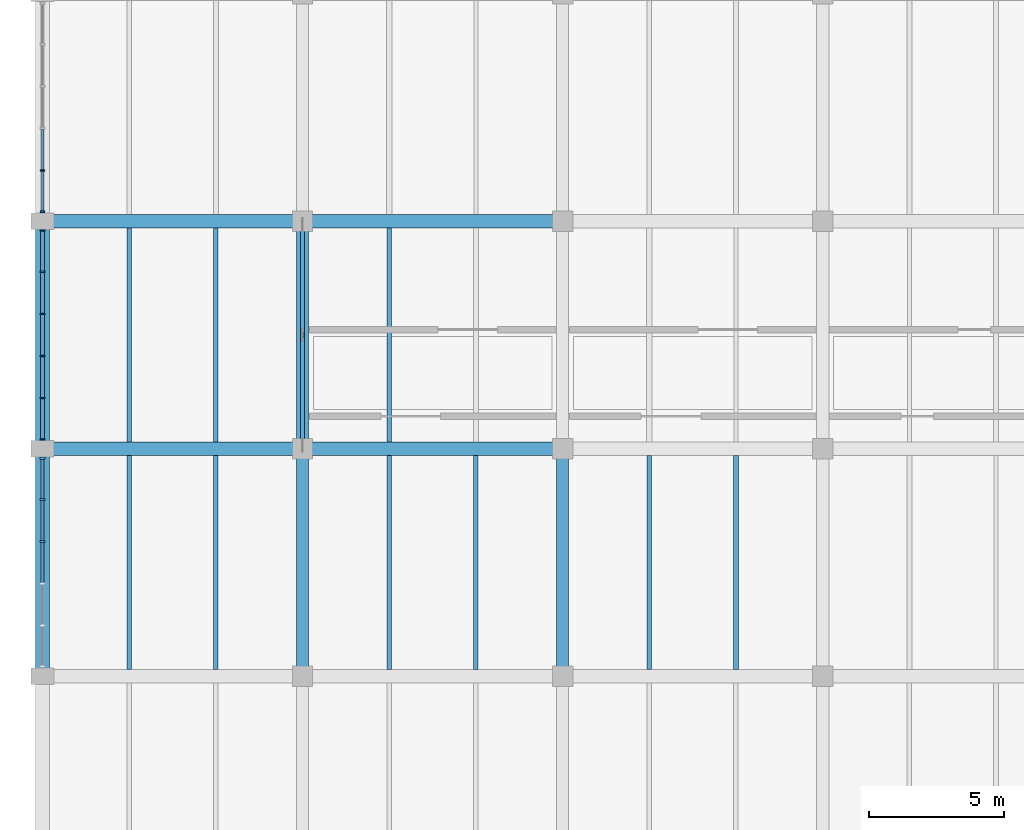
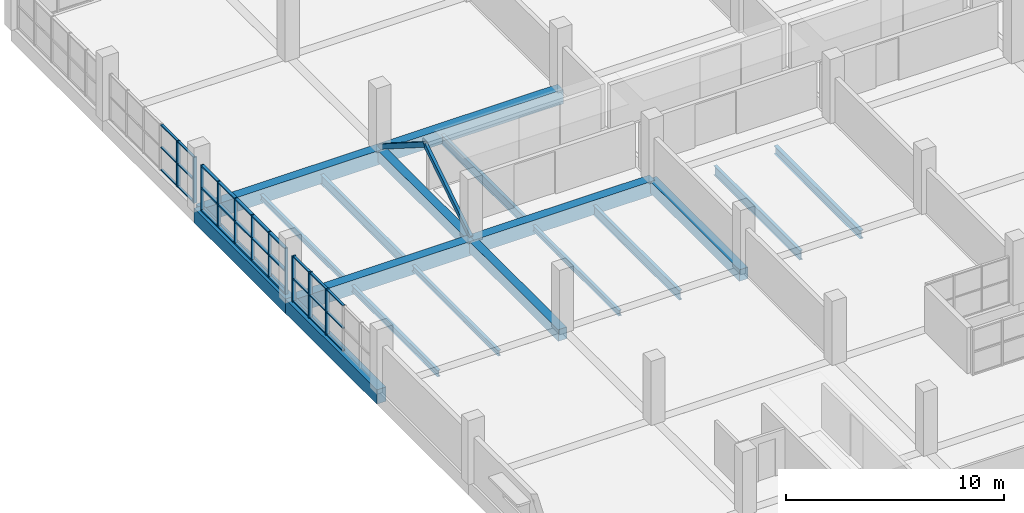
# One storey, part 37 of 147: 43 members, 18 beams, 3 elements without a shape of their own.
"""IFC4 building model written with IfcOpenShell, lengths in metres."""

import ifcopenshell
import ifcopenshell.guid

model = None  # the IFC model being written
_history = None  # IfcOwnerHistory: only IFC2X3 demands one
_inside = {}  # id of a spatial element -> (the spatial element, [elements in it])
_under = {}  # id of a project, library or spatial element -> (it, [spatial elements below it])
_declared = {}  # id of a project -> (the project, [libraries it declares])
_typed = {}  # id of a type object -> (the type object, [elements of that type])
_made_of = {}  # id of a material, layer set ... -> (it, [elements and type objects made of it])


def new_model(schema):
    """Start an empty IFC model of exactly this schema.

    Asked for "IFC4X3", IfcOpenShell would pick the latest addendum, in which some entities
    have other attributes; the version numbers below select the first issue.
    IFC2X3 requires an IfcOwnerHistory on every rooted entity: one is made here for all.
    """
    global model, _history
    if schema == "IFC4X3":
        model = ifcopenshell.file(schema_version=(4, 3, 0, 0))
    else:
        model = ifcopenshell.file(schema=schema)
    _inside.clear()
    _under.clear()
    _declared.clear()
    _typed.clear()
    _made_of.clear()
    _history = None
    if model.schema == "IFC2X3":
        org = make("IfcOrganization", Name="unknown")
        user = make(
            "IfcPersonAndOrganization",
            ThePerson=make("IfcPerson", FamilyName="unknown"),
            TheOrganization=org,
        )
        app = make(
            "IfcApplication",
            ApplicationDeveloper=org,
            Version="unknown",
            ApplicationFullName="unknown",
            ApplicationIdentifier="unknown",
        )
        _history = make(
            "IfcOwnerHistory",
            OwningUser=user,
            OwningApplication=app,
            ChangeAction="ADDED",
            CreationDate=0,
        )
    return model


def make(cls, **values):
    """One entity of the class cls with the attributes given. An attribute that is None is left unset."""
    return model.create_entity(
        cls, **{name: value for name, value in values.items() if value is not None}
    )


def rooted(cls, **values):
    """An entity with a GlobalId (a new one), such as an element, a storey or a relation."""
    return make(cls, GlobalId=ifcopenshell.guid.new(), OwnerHistory=_history, **values)


def si_unit(unit_type, name, prefix=None):
    """IfcSIUnit, for example si_unit("LENGTHUNIT", "METRE", prefix="MILLI")."""
    return make("IfcSIUnit", UnitType=unit_type, Prefix=prefix, Name=name)


def assignment(units):
    """IfcUnitAssignment: the units of a project."""
    return None if units is None else make("IfcUnitAssignment", Units=units)


def point(xyz):
    """IfcCartesianPoint."""
    return None if xyz is None else make("IfcCartesianPoint", Coordinates=xyz)


def direction(xyz):
    """IfcDirection."""
    return None if xyz is None else make("IfcDirection", DirectionRatios=xyz)


def frame(location, z_axis=None, x_axis=None):
    """IfcAxis2Placement3D, a coordinate frame: its origin and axes. An axis left out is left unset."""
    return make(
        "IfcAxis2Placement3D",
        Location=point(location),
        Axis=direction(z_axis),
        RefDirection=direction(x_axis),
    )


def frame_2d(location, x_axis=None):
    """IfcAxis2Placement2D, a coordinate frame in the plane: its origin and x axis."""
    return make(
        "IfcAxis2Placement2D", Location=point(location), RefDirection=direction(x_axis)
    )


def origin():
    """The frame at (0, 0, 0) with its axes left unset."""
    return frame((0.0, 0.0, 0.0))


def origin_2d():
    """The frame at (0, 0) in the plane with its x axis left unset."""
    return frame_2d((0.0, 0.0))


def place(relative_to, where):
    """IfcLocalPlacement: puts the frame where relative to a parent placement (None: the world)."""
    return make(
        "IfcLocalPlacement", PlacementRelTo=relative_to, RelativePlacement=where
    )


def context(
    kind, dimensions, precision=None, world=None, true_north=None, identifier=None
):
    """IfcGeometricRepresentationContext, for example the 3D "Model" context."""
    return make(
        "IfcGeometricRepresentationContext",
        ContextIdentifier=identifier,
        ContextType=kind,
        CoordinateSpaceDimension=dimensions,
        Precision=precision,
        WorldCoordinateSystem=world,
        TrueNorth=true_north,
    )


def subcontext(parent, identifier, kind, view, scale=None):
    """IfcGeometricRepresentationSubContext, for example "Body" below "Model"."""
    return make(
        "IfcGeometricRepresentationSubContext",
        ContextIdentifier=identifier,
        ContextType=kind,
        ParentContext=parent,
        TargetScale=scale,
        TargetView=view,
    )


def project(units=None, contexts=None):
    """IfcProject with its units and contexts."""
    return rooted(
        "IfcProject",
        Name="project",
        RepresentationContexts=contexts,
        UnitsInContext=assignment(units),
    )


def spatial(cls, under=None, at=None, **own):
    """A site, building, storey or space (cls), placed at a placement, below another one or the project."""
    s = rooted(cls, ObjectPlacement=at, **own)
    if under is not None:
        _under.setdefault(under.id(), (under, []))[1].append(s)
    return s


def profile(cls, at=None, kind="AREA", **sizes):
    """A parametric profile (cls). Its sizes go by their IFC names, for example OverallWidth=200.0."""
    return make(cls, ProfileType=kind, Position=at, **sizes)


def rectangle(**sizes):
    """IfcRectangleProfileDef."""
    return profile("IfcRectangleProfileDef", **sizes)


def hollow_rectangle(**sizes):
    """IfcRectangleHollowProfileDef."""
    return profile("IfcRectangleHollowProfileDef", **sizes)


def i_section(**sizes):
    """IfcIShapeProfileDef."""
    return profile("IfcIShapeProfileDef", **sizes)


def extrude(swept, where, along, depth):
    """IfcExtrudedAreaSolid: the profile swept, set in the frame where, extruded along a direction by depth."""
    return make(
        "IfcExtrudedAreaSolid",
        SweptArea=swept,
        Position=where,
        ExtrudedDirection=direction(along),
        Depth=depth,
    )


def shape(context_of_items, identifier, shape_type, items):
    """IfcShapeRepresentation: the items that make up one representation, for example the "Body"."""
    return make(
        "IfcShapeRepresentation",
        ContextOfItems=context_of_items,
        RepresentationIdentifier=identifier,
        RepresentationType=shape_type,
        Items=items,
    )


def material(Name=None, Category=None):
    """IfcMaterial."""
    return make("IfcMaterial", Name=Name, Category=Category)


def material_profile(
    of_material, cross_section, Name=None, Category=None, Priority=None
):
    """IfcMaterialProfile: a cross section and its material."""
    return make(
        "IfcMaterialProfile",
        Name=Name,
        Material=of_material,
        Profile=cross_section,
        Priority=Priority,
        Category=Category,
    )


def profile_set(profiles, Name=None, composite=None):
    """IfcMaterialProfileSet."""
    return make(
        "IfcMaterialProfileSet",
        Name=Name,
        MaterialProfiles=profiles,
        CompositeProfile=composite,
    )


def made_of(thing, what):
    """Note that an element or type object is made of a material, layer set ...; save() writes the relation."""
    if what is not None:
        _made_of.setdefault(what.id(), (what, []))[1].append(thing)
    return thing


def type_object(cls, material=None, **own):
    """A type object (cls), such as IfcWallType, which elements share."""
    return made_of(rooted(cls, **own), material)


def element(
    cls,
    number,
    at=None,
    inside=None,
    cuts=None,
    type_object=None,
    material=None,
    context=None,
    identifier="Body",
    shape_type=None,
    held_by="IfcProductDefinitionShape",
    body=None,
    shapes=None,
    **own,
):
    """One element of the class cls, such as IfcWall. Its Tag is "e" and its number.

    at: its placement. inside: the storey or other place that contains it. cuts: it is an
    opening in that element (IfcRelVoidsElement). A single representation is given by context,
    identifier, shape_type and body (its items); several are given by shapes. held_by: the class
    of the entity that holds the representations. save() writes the other relations.
    """
    e = rooted(cls, Tag="e%d" % number, ObjectPlacement=at, **own)
    if body is not None:
        shapes = [shape(context, identifier, shape_type, body)]
    if shapes is not None:
        e.Representation = make(held_by, Representations=shapes)
    if inside is not None:
        _inside.setdefault(inside.id(), (inside, []))[1].append(e)
    if cuts is not None:
        rooted(
            "IfcRelVoidsElement", RelatingBuildingElement=cuts, RelatedOpeningElement=e
        )
    if type_object is not None:
        _typed.setdefault(type_object.id(), (type_object, []))[1].append(e)
    return made_of(e, material)


def aggregate(whole, parts):
    """IfcRelAggregates: a whole, such as a stair, and the parts it consists of."""
    return rooted("IfcRelAggregates", RelatingObject=whole, RelatedObjects=parts)


def save(model, path):
    """Write the relations noted so far, then the file.

    IfcRelAggregates (storeys below a building ...), IfcRelContainedInSpatialStructure (elements
    in a storey), IfcRelDefinesByType, IfcRelAssociatesMaterial and IfcRelDeclares: one each for
    every whole, place, type object, material and project.
    """
    for whole, parts in _under.values():
        aggregate(whole, parts)
    for where, things in _inside.values():
        rooted(
            "IfcRelContainedInSpatialStructure",
            RelatedElements=things,
            RelatingStructure=where,
        )
    for kind, things in _typed.values():
        rooted("IfcRelDefinesByType", RelatedObjects=things, RelatingType=kind)
    for what, things in _made_of.values():
        rooted("IfcRelAssociatesMaterial", RelatedObjects=things, RelatingMaterial=what)
    for by, libraries in _declared.values():
        rooted("IfcRelDeclares", RelatingContext=by, RelatedDefinitions=libraries)
    model.write(path)


model = new_model("IFC4")

# Units and contexts
model_context = context("Model", 3, precision=1e-05, world=origin(), true_north=direction((0.0, 1.0)))
body_context = subcontext(model_context, "Body", "Model", "MODEL_VIEW")
ifc_project = project(units=[si_unit("LENGTHUNIT", "METRE"), si_unit("AREAUNIT", "SQUARE_METRE"), si_unit("VOLUMEUNIT", "CUBIC_METRE"), si_unit("PLANEANGLEUNIT", "RADIAN"), si_unit("MASSUNIT", "GRAM", prefix="KILO")], contexts=[model_context])

# Site, building, storey
site_placement = place(None, origin())
site = spatial("IfcSite", under=ifc_project, at=site_placement, CompositionType="ELEMENT")
building_placement = place(site_placement, origin())
building = spatial("IfcBuilding", under=site, at=building_placement, Name="Oolite Switchyard Hospital", CompositionType="ELEMENT")
storey_placement = place(building_placement, frame((0.0, 0.0, 9.89990234375)))
storey = spatial("IfcBuildingStorey", under=building, at=storey_placement, Name="L02", CompositionType="ELEMENT", Elevation=9.89990234375)

# Beams
ifc_material_1 = material(Name="Concrete C40/50", Category="concrete")
ifc_material_profile_1 = material_profile(ifc_material_1, rectangle(XDim=0.449951171875, YDim=0.64990234375, at=origin_2d()), Name="RCB450X650")
ifc_profile_set_1 = profile_set([ifc_material_profile_1], Name="Concrete C40/50")
beam_type_1 = type_object("IfcBeamType", Name="BM-RC450X650", PredefinedType="BEAM", material=ifc_profile_set_1)
beam_1_placement = place(storey_placement, frame((9.60009765625, 92.39990234375, -0.324951171875), z_axis=(0.0, 1.0, 0.0), x_axis=(-1.0, 0.0, 0.0)))
element("IfcBeam", 1, at=beam_1_placement, inside=storey, type_object=beam_type_1, Name="L02 Y-Girder 1272", PredefinedType="BEAM", context=body_context, shape_type="SweptSolid", body=[
    extrude(rectangle(XDim=0.449951171875, YDim=0.64990234375, at=origin_2d()), origin(), (0.0, 0.0, 1.0), 8.400146484375),
])
beam_2_placement = place(storey_placement, frame((9.60009765625, 100.800048828125, -0.324951171875), z_axis=(0.0, 1.0, 0.0), x_axis=(-1.0, 0.0, 0.0)))
element("IfcBeam", 2, at=beam_2_placement, inside=storey, type_object=beam_type_1, Name="L02 Y-Girder 1273", PredefinedType="BEAM", context=body_context, shape_type="SweptSolid", body=[
    extrude(rectangle(XDim=0.449951171875, YDim=0.64990234375, at=origin_2d()), origin(), (0.0, 0.0, 1.0), 8.39990234375),
])
beam_3_placement = place(storey_placement, frame((19.199951171875, 92.39990234375, -0.324951171875), z_axis=(0.0, 1.0, 0.0), x_axis=(-1.0, 0.0, 0.0)))
element("IfcBeam", 3, at=beam_3_placement, inside=storey, type_object=beam_type_1, Name="L02 Y-Girder 1288", PredefinedType="BEAM", context=body_context, shape_type="SweptSolid", body=[
    extrude(rectangle(XDim=0.449951171875, YDim=0.64990234375, at=origin_2d()), origin(), (0.0, 0.0, 1.0), 8.400146484375),
])
ifc_material_profile_2 = material_profile(ifc_material_1, rectangle(XDim=0.5, YDim=0.800048828125, at=origin_2d()), Name="RCB500X800")
ifc_profile_set_2 = profile_set([ifc_material_profile_2], Name="Concrete C40/50")
beam_type_2 = type_object("IfcBeamType", Name="BM-RC500X800", PredefinedType="BEAM", material=ifc_profile_set_2)
beam_4_placement = place(storey_placement, frame((0.0, 100.800048828125, -0.39990234375), z_axis=(1.0, 0.0, 0.0), x_axis=(0.0, 1.0, 0.0)))
element("IfcBeam", 4, at=beam_4_placement, inside=storey, type_object=beam_type_2, Name="L02 X-Girder 1160", PredefinedType="BEAM", context=body_context, shape_type="SweptSolid", body=[
    extrude(rectangle(XDim=0.5, YDim=0.800048828125, at=origin_2d()), origin(), (0.0, 0.0, 1.0), 9.60009765625),
])
beam_5_placement = place(storey_placement, frame((9.60009765625, 100.800048828125, -0.39990234375), z_axis=(1.0, 0.0, 0.0), x_axis=(0.0, 1.0, 0.0)))
element("IfcBeam", 5, at=beam_5_placement, inside=storey, type_object=beam_type_2, Name="L02 X-Girder 1161", PredefinedType="BEAM", context=body_context, shape_type="SweptSolid", body=[
    extrude(rectangle(XDim=0.5, YDim=0.800048828125, at=origin_2d()), origin(), (0.0, 0.0, 1.0), 9.599853515625),
])
beam_6_placement = place(storey_placement, frame((0.0, 109.199951171875, -0.39990234375), z_axis=(1.0, 0.0, 0.0), x_axis=(0.0, 1.0, 0.0)))
element("IfcBeam", 6, at=beam_6_placement, inside=storey, type_object=beam_type_2, Name="L02 X-Girder 1181", PredefinedType="BEAM", context=body_context, shape_type="SweptSolid", body=[
    extrude(rectangle(XDim=0.5, YDim=0.800048828125, at=origin_2d()), origin(), (0.0, 0.0, 1.0), 9.60009765625),
])
beam_7_placement = place(storey_placement, frame((9.60009765625, 109.199951171875, -0.39990234375), z_axis=(1.0, 0.0, 0.0), x_axis=(0.0, 1.0, 0.0)))
element("IfcBeam", 7, at=beam_7_placement, inside=storey, type_object=beam_type_2, Name="L02 X-Girder 1182", PredefinedType="BEAM", context=body_context, shape_type="SweptSolid", body=[
    extrude(rectangle(XDim=0.5, YDim=0.800048828125, at=origin_2d()), origin(), (0.0, 0.0, 1.0), 9.599853515625),
])
beam_8_placement = place(storey_placement, frame((0.0, 92.39990234375, -0.39990234375), z_axis=(0.0, 1.0, 0.0), x_axis=(-1.0, 0.0, 0.0)))
element("IfcBeam", 8, at=beam_8_placement, inside=storey, type_object=beam_type_2, Name="L02 Y-Girder 1259", PredefinedType="BEAM", context=body_context, shape_type="SweptSolid", body=[
    extrude(rectangle(XDim=0.5, YDim=0.800048828125, at=origin_2d()), origin(), (0.0, 0.0, 1.0), 8.400146484375),
])
beam_9_placement = place(storey_placement, frame((0.0, 100.800048828125, -0.39990234375), z_axis=(0.0, 1.0, 0.0), x_axis=(-1.0, 0.0, 0.0)))
element("IfcBeam", 9, at=beam_9_placement, inside=storey, type_object=beam_type_2, Name="L02 Y-Girder 1260", PredefinedType="BEAM", context=body_context, shape_type="SweptSolid", body=[
    extrude(rectangle(XDim=0.5, YDim=0.800048828125, at=origin_2d()), origin(), (0.0, 0.0, 1.0), 8.39990234375),
])
ifc_material_2 = material(Name="Steel ASTM A992 Grade 50", Category="steel")
ifc_material_profile_3 = material_profile(ifc_material_2, i_section(OverallWidth=0.1650390625, OverallDepth=0.31005859375, WebThickness=0.006103515625, FlangeThickness=0.010009765625, at=origin_2d()), Name="W12X26")
ifc_profile_set_3 = profile_set([ifc_material_profile_3], Name="Steel ASTM A992 Grade 50")
beam_type_3 = type_object("IfcBeamType", Name="BM-W12X26", PredefinedType="JOIST", material=ifc_profile_set_3)
beam_10_placement = place(storey_placement, frame((6.39990234375, 92.64990234375, -0.414794921875), z_axis=(0.0, 1.0, 0.0), x_axis=(-1.0, 0.0, 0.0)))
element("IfcBeam", 10, at=beam_10_placement, inside=storey, type_object=beam_type_3, Name="L02 Secondary Steel Joist 1529", PredefinedType="JOIST", context=body_context, shape_type="SweptSolid", body=[
    extrude(i_section(OverallWidth=0.1650390625, OverallDepth=0.31005859375, WebThickness=0.006103515625, FlangeThickness=0.010009765625, at=origin_2d()), origin(), (0.0, 0.0, 1.0), 7.900146484375),
])
beam_11_placement = place(storey_placement, frame((3.199951171875, 101.050048828125, -0.414794921875), z_axis=(0.0, 1.0, 0.0), x_axis=(-1.0, 0.0, 0.0)))
element("IfcBeam", 11, at=beam_11_placement, inside=storey, type_object=beam_type_3, Name="L02 Secondary Steel Joist 1530", PredefinedType="JOIST", context=body_context, shape_type="SweptSolid", body=[
    extrude(i_section(OverallWidth=0.1650390625, OverallDepth=0.31005859375, WebThickness=0.006103515625, FlangeThickness=0.010009765625, at=origin_2d()), origin(), (0.0, 0.0, 1.0), 7.89990234375),
])
beam_12_placement = place(storey_placement, frame((12.800048828125, 92.64990234375, -0.414794921875), z_axis=(0.0, 1.0, 0.0), x_axis=(-1.0, 0.0, 0.0)))
element("IfcBeam", 12, at=beam_12_placement, inside=storey, type_object=beam_type_3, Name="L02 Secondary Steel Joist 1554", PredefinedType="JOIST", context=body_context, shape_type="SweptSolid", body=[
    extrude(i_section(OverallWidth=0.1650390625, OverallDepth=0.31005859375, WebThickness=0.006103515625, FlangeThickness=0.010009765625, at=origin_2d()), origin(), (0.0, 0.0, 1.0), 7.900146484375),
])
ifc_material_profile_4 = material_profile(ifc_material_2, i_section(OverallWidth=0.1708984375, OverallDepth=0.35107421875, WebThickness=0.007080078125, FlangeThickness=0.010009765625, at=origin_2d()), Name="W14X30")
ifc_profile_set_4 = profile_set([ifc_material_profile_4], Name="Steel ASTM A992 Grade 50")
beam_type_4 = type_object("IfcBeamType", Name="BM-W14X30", PredefinedType="JOIST", material=ifc_profile_set_4)
beam_13_placement = place(storey_placement, frame((3.199951171875, 92.64990234375, -0.434814453125), z_axis=(0.0, 1.0, 0.0), x_axis=(-1.0, 0.0, 0.0)))
element("IfcBeam", 13, at=beam_13_placement, inside=storey, type_object=beam_type_4, Name="L02 Secondary Steel Joist 1528", PredefinedType="JOIST", context=body_context, shape_type="SweptSolid", body=[
    extrude(i_section(OverallWidth=0.1708984375, OverallDepth=0.35107421875, WebThickness=0.007080078125, FlangeThickness=0.010009765625, at=origin_2d()), origin(), (0.0, 0.0, 1.0), 7.900146484375),
])
ifc_material_profile_5 = material_profile(ifc_material_2, i_section(OverallWidth=0.19091796875, OverallDepth=0.4599609375, WebThickness=0.010009765625, FlangeThickness=0.01611328125, at=origin_2d()), Name="W18X55")
ifc_profile_set_5 = profile_set([ifc_material_profile_5], Name="Steel ASTM A992 Grade 50")
beam_type_5 = type_object("IfcBeamType", Name="BM-W18X55", PredefinedType="JOIST", material=ifc_profile_set_5)
beam_14_placement = place(storey_placement, frame((25.60009765625, 92.64990234375, -0.489990234375), z_axis=(0.0, 1.0, 0.0), x_axis=(-1.0, 0.0, 0.0)))
element("IfcBeam", 14, at=beam_14_placement, inside=storey, type_object=beam_type_5, Name="L02 Secondary Steel Joist 1583", PredefinedType="JOIST", context=body_context, shape_type="SweptSolid", body=[
    extrude(i_section(OverallWidth=0.19091796875, OverallDepth=0.4599609375, WebThickness=0.010009765625, FlangeThickness=0.01611328125, at=origin_2d()), origin(), (0.0, 0.0, 1.0), 7.900146484375),
])
ifc_material_profile_6 = material_profile(ifc_material_2, i_section(OverallWidth=0.166015625, OverallDepth=0.529052734375, WebThickness=0.010009765625, FlangeThickness=0.013916015625, at=origin_2d()), Name="W21X50")
ifc_profile_set_6 = profile_set([ifc_material_profile_6], Name="Steel ASTM A992 Grade 50")
beam_type_6 = type_object("IfcBeamType", Name="BM-W21X50", PredefinedType="JOIST", material=ifc_profile_set_6)
beam_15_placement = place(storey_placement, frame((6.39990234375, 101.050048828125, -0.52392578125), z_axis=(0.0, 1.0, 0.0), x_axis=(-1.0, 0.0, 0.0)))
element("IfcBeam", 15, at=beam_15_placement, inside=storey, type_object=beam_type_6, Name="L02 Secondary Steel Joist 1531", PredefinedType="JOIST", context=body_context, shape_type="SweptSolid", body=[
    extrude(i_section(OverallWidth=0.166015625, OverallDepth=0.529052734375, WebThickness=0.010009765625, FlangeThickness=0.013916015625, at=origin_2d()), origin(), (0.0, 0.0, 1.0), 7.89990234375),
])
beam_16_placement = place(storey_placement, frame((16.0, 92.64990234375, -0.52392578125), z_axis=(0.0, 1.0, 0.0), x_axis=(-1.0, 0.0, 0.0)))
element("IfcBeam", 16, at=beam_16_placement, inside=storey, type_object=beam_type_6, Name="L02 Secondary Steel Joist 1555", PredefinedType="JOIST", context=body_context, shape_type="SweptSolid", body=[
    extrude(i_section(OverallWidth=0.166015625, OverallDepth=0.529052734375, WebThickness=0.010009765625, FlangeThickness=0.013916015625, at=origin_2d()), origin(), (0.0, 0.0, 1.0), 7.900146484375),
])
beam_17_placement = place(storey_placement, frame((12.800048828125, 101.050048828125, -0.52392578125), z_axis=(0.0, 1.0, 0.0), x_axis=(-1.0, 0.0, 0.0)))
element("IfcBeam", 17, at=beam_17_placement, inside=storey, type_object=beam_type_6, Name="L02 Secondary Steel Joist 1556", PredefinedType="JOIST", context=body_context, shape_type="SweptSolid", body=[
    extrude(i_section(OverallWidth=0.166015625, OverallDepth=0.529052734375, WebThickness=0.010009765625, FlangeThickness=0.013916015625, at=origin_2d()), origin(), (0.0, 0.0, 1.0), 7.89990234375),
])
beam_18_placement = place(storey_placement, frame((22.39990234375, 92.64990234375, -0.52392578125), z_axis=(0.0, 1.0, 0.0), x_axis=(-1.0, 0.0, 0.0)))
element("IfcBeam", 18, at=beam_18_placement, inside=storey, type_object=beam_type_6, Name="L02 Secondary Steel Joist 1582", PredefinedType="JOIST", context=body_context, shape_type="SweptSolid", body=[
    extrude(i_section(OverallWidth=0.166015625, OverallDepth=0.529052734375, WebThickness=0.010009765625, FlangeThickness=0.013916015625, at=origin_2d()), origin(), (0.0, 0.0, 1.0), 7.900146484375),
])

# Curtain wall, members
ifc_material_3 = material(Name="Thermally broken aluminum frame with laminated impact glazing", Category="aluminium")
curtain_wall_type = type_object("IfcCurtainWallType", Name="CW-UNIT-84X36", PredefinedType="USERDEFINED", material=ifc_material_3)
curtain_wall_1_placement = place(storey_placement, origin())
curtain_wall_1 = element("IfcCurtainWall", 19, at=curtain_wall_1_placement, inside=storey, type_object=curtain_wall_type, Name="L02 Unitised Curtain Wall 277", ObjectType="UNITISED", PredefinedType="USERDEFINED")
ifc_material_4 = material(Name="Aluminium 6063-T6", Category="aluminium")
ifc_material_profile_7 = material_profile(ifc_material_4, rectangle(XDim=0.159912109375, YDim=0.06005859375, at=origin_2d()), Name="CWM60X160")
ifc_profile_set_7 = profile_set([ifc_material_profile_7], Name="Aluminium 6063-T6")
member_type_1 = type_object("IfcMemberType", Name="CW-MUL-180", PredefinedType="MULLION", material=ifc_profile_set_7)
member_1_placement = place(storey_placement, frame((0.0, 101.14501953125, 0.0), z_axis=(0.0, 0.0, 1.0), x_axis=(-1.0, 0.0, 0.0)))
member_1 = element("IfcMember", 20, at=member_1_placement, type_object=member_type_1, Name="CW-08 mullion 1", PredefinedType="MULLION", context=body_context, shape_type="SweptSolid", body=[
    extrude(rectangle(XDim=0.159912109375, YDim=0.06005859375, at=origin_2d()), origin(), (0.0, 0.0, 1.0), 2.570068359375),
])
member_2_placement = place(storey_placement, frame((0.0, 102.6689453125, 0.0), z_axis=(0.0, 0.0, 1.0), x_axis=(-1.0, 0.0, 0.0)))
member_2 = element("IfcMember", 21, at=member_2_placement, type_object=member_type_1, Name="CW-08 mullion 2", PredefinedType="MULLION", context=body_context, shape_type="SweptSolid", body=[
    extrude(rectangle(XDim=0.159912109375, YDim=0.06005859375, at=origin_2d()), origin(), (0.0, 0.0, 1.0), 2.570068359375),
])
member_3_placement = place(storey_placement, frame((0.0, 104.222900390625, 0.0), z_axis=(0.0, 0.0, 1.0), x_axis=(-1.0, 0.0, 0.0)))
member_3 = element("IfcMember", 22, at=member_3_placement, type_object=member_type_1, Name="CW-08 mullion 3", PredefinedType="MULLION", context=body_context, shape_type="SweptSolid", body=[
    extrude(rectangle(XDim=0.159912109375, YDim=0.06005859375, at=origin_2d()), origin(), (0.0, 0.0, 1.0), 2.570068359375),
])
member_4_placement = place(storey_placement, frame((0.0, 105.777099609375, 0.0), z_axis=(0.0, 0.0, 1.0), x_axis=(-1.0, 0.0, 0.0)))
member_4 = element("IfcMember", 23, at=member_4_placement, type_object=member_type_1, Name="CW-08 mullion 4", PredefinedType="MULLION", context=body_context, shape_type="SweptSolid", body=[
    extrude(rectangle(XDim=0.159912109375, YDim=0.06005859375, at=origin_2d()), origin(), (0.0, 0.0, 1.0), 2.570068359375),
])
member_5_placement = place(storey_placement, frame((0.0, 107.3310546875, 0.0), z_axis=(0.0, 0.0, 1.0), x_axis=(-1.0, 0.0, 0.0)))
member_5 = element("IfcMember", 24, at=member_5_placement, type_object=member_type_1, Name="CW-08 mullion 5", PredefinedType="MULLION", context=body_context, shape_type="SweptSolid", body=[
    extrude(rectangle(XDim=0.159912109375, YDim=0.06005859375, at=origin_2d()), origin(), (0.0, 0.0, 1.0), 2.570068359375),
])
member_6_placement = place(storey_placement, frame((0.0, 108.85498046875, 0.0), z_axis=(0.0, 0.0, 1.0), x_axis=(-1.0, 0.0, 0.0)))
member_6 = element("IfcMember", 25, at=member_6_placement, type_object=member_type_1, Name="CW-08 mullion 6", PredefinedType="MULLION", context=body_context, shape_type="SweptSolid", body=[
    extrude(rectangle(XDim=0.159912109375, YDim=0.06005859375, at=origin_2d()), origin(), (0.0, 0.0, 1.0), 2.570068359375),
])

curtain_wall_2_placement = place(storey_placement, origin())
curtain_wall_2 = element("IfcCurtainWall", 26, at=curtain_wall_2_placement, inside=storey, type_object=curtain_wall_type, Name="L02 Unitised Curtain Wall 278", ObjectType="UNITISED", PredefinedType="USERDEFINED")
ifc_material_profile_8 = material_profile(ifc_material_4, rectangle(XDim=0.179931640625, YDim=0.070068359375, at=origin_2d()), Name="CWM70X180")
ifc_profile_set_8 = profile_set([ifc_material_profile_8], Name="Aluminium 6063-T6")
member_type_2 = type_object("IfcMemberType", Name="CW-MUL-220", PredefinedType="MULLION", material=ifc_profile_set_8)
member_7_placement = place(storey_placement, frame((0.0, 109.550048828125, 0.0), z_axis=(0.0, 0.0, 1.0), x_axis=(-1.0, 0.0, 0.0)))
member_7 = element("IfcMember", 27, at=member_7_placement, type_object=member_type_2, Name="CW-08 mullion 1", PredefinedType="MULLION", context=body_context, shape_type="SweptSolid", body=[
    extrude(rectangle(XDim=0.179931640625, YDim=0.070068359375, at=origin_2d()), origin(), (0.0, 0.0, 1.0), 2.570068359375),
])
member_8_placement = place(storey_placement, frame((0.0, 111.069091796875, 0.0), z_axis=(0.0, 0.0, 1.0), x_axis=(-1.0, 0.0, 0.0)))
member_8 = element("IfcMember", 28, at=member_8_placement, type_object=member_type_2, Name="CW-08 mullion 2", PredefinedType="MULLION", context=body_context, shape_type="SweptSolid", body=[
    extrude(rectangle(XDim=0.179931640625, YDim=0.070068359375, at=origin_2d()), origin(), (0.0, 0.0, 1.0), 2.570068359375),
])

curtain_wall_3_placement = place(storey_placement, origin())
curtain_wall_3 = element("IfcCurtainWall", 29, at=curtain_wall_3_placement, inside=storey, type_object=curtain_wall_type, Name="L02 Unitised Curtain Wall 276", ObjectType="UNITISED", PredefinedType="USERDEFINED")
ifc_material_profile_9 = material_profile(ifc_material_4, rectangle(XDim=0.199951171875, YDim=0.074951171875, at=origin_2d()), Name="CWM75X200")
ifc_profile_set_9 = profile_set([ifc_material_profile_9], Name="Aluminium 6063-T6")
member_type_3 = type_object("IfcMemberType", Name="CW-MUL-260", PredefinedType="MULLION", material=ifc_profile_set_9)
member_9_placement = place(storey_placement, frame((0.0, 97.376953125, 0.0), z_axis=(0.0, 0.0, 1.0), x_axis=(-1.0, 0.0, 0.0)))
member_9 = element("IfcMember", 30, at=member_9_placement, type_object=member_type_3, Name="CW-08 mullion 4", PredefinedType="MULLION", context=body_context, shape_type="SweptSolid", body=[
    extrude(rectangle(XDim=0.199951171875, YDim=0.074951171875, at=origin_2d()), origin(), (0.0, 0.0, 1.0), 2.570068359375),
])
member_10_placement = place(storey_placement, frame((0.0, 98.930908203125, 0.0), z_axis=(0.0, 0.0, 1.0), x_axis=(-1.0, 0.0, 0.0)))
member_10 = element("IfcMember", 31, at=member_10_placement, type_object=member_type_3, Name="CW-08 mullion 5", PredefinedType="MULLION", context=body_context, shape_type="SweptSolid", body=[
    extrude(rectangle(XDim=0.199951171875, YDim=0.074951171875, at=origin_2d()), origin(), (0.0, 0.0, 1.0), 2.570068359375),
])
member_11_placement = place(storey_placement, frame((0.0, 100.447509765625, 0.0), z_axis=(0.0, 0.0, 1.0), x_axis=(-1.0, 0.0, 0.0)))
member_11 = element("IfcMember", 32, at=member_11_placement, type_object=member_type_3, Name="CW-08 mullion 6", PredefinedType="MULLION", context=body_context, shape_type="SweptSolid", body=[
    extrude(rectangle(XDim=0.199951171875, YDim=0.074951171875, at=origin_2d()), origin(), (0.0, 0.0, 1.0), 2.570068359375),
])
ifc_material_profile_10 = material_profile(ifc_material_4, rectangle(XDim=0.1201171875, YDim=0.06005859375, at=origin_2d()), Name="CWT60X120")
ifc_profile_set_10 = profile_set([ifc_material_profile_10], Name="Aluminium 6063-T6")
member_type_4 = type_object("IfcMemberType", Name="CW-TRN-150", PredefinedType="USERDEFINED", material=ifc_profile_set_10)
member_12_placement = place(storey_placement, frame((0.0, 95.860595703125, 0.030029296875), z_axis=(0.0, 1.0, 0.0), x_axis=(-1.0, 0.0, 0.0)))
member_12 = element("IfcMember", 33, at=member_12_placement, type_object=member_type_4, Name="CW-08 transom 3.1", ObjectType="TRANSOM", PredefinedType="USERDEFINED", context=body_context, shape_type="SweptSolid", body=[
    extrude(rectangle(XDim=0.1201171875, YDim=0.06005859375, at=origin_2d()), origin(), (0.0, 0.0, 1.0), 1.47900390625),
])
member_13_placement = place(storey_placement, frame((0.0, 95.860595703125, 1.28515625), z_axis=(0.0, 1.0, 0.0), x_axis=(-1.0, 0.0, 0.0)))
member_13 = element("IfcMember", 34, at=member_13_placement, type_object=member_type_4, Name="CW-08 transom 3.2", ObjectType="TRANSOM", PredefinedType="USERDEFINED", context=body_context, shape_type="SweptSolid", body=[
    extrude(rectangle(XDim=0.1201171875, YDim=0.06005859375, at=origin_2d()), origin(), (0.0, 0.0, 1.0), 1.47900390625),
])
member_14_placement = place(storey_placement, frame((0.0, 95.860595703125, 2.5400390625), z_axis=(0.0, 1.0, 0.0), x_axis=(-1.0, 0.0, 0.0)))
member_14 = element("IfcMember", 35, at=member_14_placement, type_object=member_type_4, Name="CW-08 transom 3.3", ObjectType="TRANSOM", PredefinedType="USERDEFINED", context=body_context, shape_type="SweptSolid", body=[
    extrude(rectangle(XDim=0.1201171875, YDim=0.06005859375, at=origin_2d()), origin(), (0.0, 0.0, 1.0), 1.47900390625),
])
member_15_placement = place(storey_placement, frame((0.0, 97.41455078125, 0.030029296875), z_axis=(0.0, 1.0, 0.0), x_axis=(-1.0, 0.0, 0.0)))
member_15 = element("IfcMember", 36, at=member_15_placement, type_object=member_type_4, Name="CW-08 transom 4.1", ObjectType="TRANSOM", PredefinedType="USERDEFINED", context=body_context, shape_type="SweptSolid", body=[
    extrude(rectangle(XDim=0.1201171875, YDim=0.06005859375, at=origin_2d()), origin(), (0.0, 0.0, 1.0), 1.47900390625),
])
member_16_placement = place(storey_placement, frame((0.0, 97.41455078125, 1.28515625), z_axis=(0.0, 1.0, 0.0), x_axis=(-1.0, 0.0, 0.0)))
member_16 = element("IfcMember", 37, at=member_16_placement, type_object=member_type_4, Name="CW-08 transom 4.2", ObjectType="TRANSOM", PredefinedType="USERDEFINED", context=body_context, shape_type="SweptSolid", body=[
    extrude(rectangle(XDim=0.1201171875, YDim=0.06005859375, at=origin_2d()), origin(), (0.0, 0.0, 1.0), 1.47900390625),
])
member_17_placement = place(storey_placement, frame((0.0, 97.41455078125, 2.5400390625), z_axis=(0.0, 1.0, 0.0), x_axis=(-1.0, 0.0, 0.0)))
member_17 = element("IfcMember", 38, at=member_17_placement, type_object=member_type_4, Name="CW-08 transom 4.3", ObjectType="TRANSOM", PredefinedType="USERDEFINED", context=body_context, shape_type="SweptSolid", body=[
    extrude(rectangle(XDim=0.1201171875, YDim=0.06005859375, at=origin_2d()), origin(), (0.0, 0.0, 1.0), 1.47900390625),
])
member_18_placement = place(storey_placement, frame((0.0, 98.968505859375, 0.030029296875), z_axis=(0.0, 1.0, 0.0), x_axis=(-1.0, 0.0, 0.0)))
member_18 = element("IfcMember", 39, at=member_18_placement, type_object=member_type_4, Name="CW-08 transom 5.1", ObjectType="TRANSOM", PredefinedType="USERDEFINED", context=body_context, shape_type="SweptSolid", body=[
    extrude(rectangle(XDim=0.1201171875, YDim=0.06005859375, at=origin_2d()), origin(), (0.0, 0.0, 1.0), 1.44140625),
])
member_19_placement = place(storey_placement, frame((0.0, 98.968505859375, 1.28515625), z_axis=(0.0, 1.0, 0.0), x_axis=(-1.0, 0.0, 0.0)))
member_19 = element("IfcMember", 40, at=member_19_placement, type_object=member_type_4, Name="CW-08 transom 5.2", ObjectType="TRANSOM", PredefinedType="USERDEFINED", context=body_context, shape_type="SweptSolid", body=[
    extrude(rectangle(XDim=0.1201171875, YDim=0.06005859375, at=origin_2d()), origin(), (0.0, 0.0, 1.0), 1.44140625),
])
member_20_placement = place(storey_placement, frame((0.0, 98.968505859375, 2.5400390625), z_axis=(0.0, 1.0, 0.0), x_axis=(-1.0, 0.0, 0.0)))
member_20 = element("IfcMember", 41, at=member_20_placement, type_object=member_type_4, Name="CW-08 transom 5.3", ObjectType="TRANSOM", PredefinedType="USERDEFINED", context=body_context, shape_type="SweptSolid", body=[
    extrude(rectangle(XDim=0.1201171875, YDim=0.06005859375, at=origin_2d()), origin(), (0.0, 0.0, 1.0), 1.44140625),
])
aggregate(curtain_wall_3, [member_9, member_10, member_11, member_12, member_13, member_14, member_15, member_16, member_17, member_18, member_19, member_20])

# Member
member_21_placement = place(storey_placement, frame((0.0, 109.5849609375, 0.030029296875), z_axis=(0.0, 1.0, 0.0), x_axis=(-1.0, 0.0, 0.0)))
member_21 = element("IfcMember", 42, at=member_21_placement, type_object=member_type_4, Name="CW-08 transom 1.1", ObjectType="TRANSOM", PredefinedType="USERDEFINED", context=body_context, shape_type="SweptSolid", body=[
    extrude(rectangle(XDim=0.1201171875, YDim=0.06005859375, at=origin_2d()), origin(), (0.0, 0.0, 1.0), 1.448974609375),
])

member_22_placement = place(storey_placement, frame((0.0, 109.5849609375, 1.28515625), z_axis=(0.0, 1.0, 0.0), x_axis=(-1.0, 0.0, 0.0)))
member_22 = element("IfcMember", 43, at=member_22_placement, type_object=member_type_4, Name="CW-08 transom 1.2", ObjectType="TRANSOM", PredefinedType="USERDEFINED", context=body_context, shape_type="SweptSolid", body=[
    extrude(rectangle(XDim=0.1201171875, YDim=0.06005859375, at=origin_2d()), origin(), (0.0, 0.0, 1.0), 1.448974609375),
])

member_23_placement = place(storey_placement, frame((0.0, 109.5849609375, 2.5400390625), z_axis=(0.0, 1.0, 0.0), x_axis=(-1.0, 0.0, 0.0)))
member_23 = element("IfcMember", 44, at=member_23_placement, type_object=member_type_4, Name="CW-08 transom 1.3", ObjectType="TRANSOM", PredefinedType="USERDEFINED", context=body_context, shape_type="SweptSolid", body=[
    extrude(rectangle(XDim=0.1201171875, YDim=0.06005859375, at=origin_2d()), origin(), (0.0, 0.0, 1.0), 1.448974609375),
])

member_24_placement = place(storey_placement, frame((0.0, 111.10400390625, 0.030029296875), z_axis=(0.0, 1.0, 0.0), x_axis=(-1.0, 0.0, 0.0)))
member_24 = element("IfcMember", 45, at=member_24_placement, type_object=member_type_4, Name="CW-08 transom 2.1", ObjectType="TRANSOM", PredefinedType="USERDEFINED", context=body_context, shape_type="SweptSolid", body=[
    extrude(rectangle(XDim=0.1201171875, YDim=0.06005859375, at=origin_2d()), origin(), (0.0, 0.0, 1.0), 1.48388671875),
])

member_25_placement = place(storey_placement, frame((0.0, 111.10400390625, 1.28515625), z_axis=(0.0, 1.0, 0.0), x_axis=(-1.0, 0.0, 0.0)))
member_25 = element("IfcMember", 46, at=member_25_placement, type_object=member_type_4, Name="CW-08 transom 2.2", ObjectType="TRANSOM", PredefinedType="USERDEFINED", context=body_context, shape_type="SweptSolid", body=[
    extrude(rectangle(XDim=0.1201171875, YDim=0.06005859375, at=origin_2d()), origin(), (0.0, 0.0, 1.0), 1.48388671875),
])

member_26_placement = place(storey_placement, frame((0.0, 111.10400390625, 2.5400390625), z_axis=(0.0, 1.0, 0.0), x_axis=(-1.0, 0.0, 0.0)))
member_26 = element("IfcMember", 47, at=member_26_placement, type_object=member_type_4, Name="CW-08 transom 2.3", ObjectType="TRANSOM", PredefinedType="USERDEFINED", context=body_context, shape_type="SweptSolid", body=[
    extrude(rectangle(XDim=0.1201171875, YDim=0.06005859375, at=origin_2d()), origin(), (0.0, 0.0, 1.0), 1.48388671875),
])

aggregate(curtain_wall_2, [member_7, member_8, member_21, member_22, member_23, member_24, member_25, member_26])

ifc_material_profile_11 = material_profile(ifc_material_4, rectangle(XDim=0.159912109375, YDim=0.074951171875, at=origin_2d()), Name="CWT75X160")
ifc_profile_set_11 = profile_set([ifc_material_profile_11], Name="Aluminium 6063-T6")
member_type_5 = type_object("IfcMemberType", Name="CW-TRN-180", PredefinedType="USERDEFINED", material=ifc_profile_set_11)
member_27_placement = place(storey_placement, frame((0.0, 101.175048828125, 0.03759765625), z_axis=(0.0, 1.0, 0.0), x_axis=(-1.0, 0.0, 0.0)))
member_27 = element("IfcMember", 48, at=member_27_placement, type_object=member_type_5, Name="CW-08 transom 1.1", ObjectType="TRANSOM", PredefinedType="USERDEFINED", context=body_context, shape_type="SweptSolid", body=[
    extrude(rectangle(XDim=0.159912109375, YDim=0.074951171875, at=origin_2d()), origin(), (0.0, 0.0, 1.0), 1.4638671875),
])

member_28_placement = place(storey_placement, frame((0.0, 101.175048828125, 1.28515625), z_axis=(0.0, 1.0, 0.0), x_axis=(-1.0, 0.0, 0.0)))
member_28 = element("IfcMember", 49, at=member_28_placement, type_object=member_type_5, Name="CW-08 transom 1.2", ObjectType="TRANSOM", PredefinedType="USERDEFINED", context=body_context, shape_type="SweptSolid", body=[
    extrude(rectangle(XDim=0.159912109375, YDim=0.074951171875, at=origin_2d()), origin(), (0.0, 0.0, 1.0), 1.4638671875),
])

member_29_placement = place(storey_placement, frame((0.0, 101.175048828125, 2.53271484375), z_axis=(0.0, 1.0, 0.0), x_axis=(-1.0, 0.0, 0.0)))
member_29 = element("IfcMember", 50, at=member_29_placement, type_object=member_type_5, Name="CW-08 transom 1.3", ObjectType="TRANSOM", PredefinedType="USERDEFINED", context=body_context, shape_type="SweptSolid", body=[
    extrude(rectangle(XDim=0.159912109375, YDim=0.074951171875, at=origin_2d()), origin(), (0.0, 0.0, 1.0), 1.4638671875),
])

member_30_placement = place(storey_placement, frame((0.0, 102.698974609375, 0.03759765625), z_axis=(0.0, 1.0, 0.0), x_axis=(-1.0, 0.0, 0.0)))
member_30 = element("IfcMember", 51, at=member_30_placement, type_object=member_type_5, Name="CW-08 transom 2.1", ObjectType="TRANSOM", PredefinedType="USERDEFINED", context=body_context, shape_type="SweptSolid", body=[
    extrude(rectangle(XDim=0.159912109375, YDim=0.074951171875, at=origin_2d()), origin(), (0.0, 0.0, 1.0), 1.494140625),
])

member_31_placement = place(storey_placement, frame((0.0, 102.698974609375, 1.28515625), z_axis=(0.0, 1.0, 0.0), x_axis=(-1.0, 0.0, 0.0)))
member_31 = element("IfcMember", 52, at=member_31_placement, type_object=member_type_5, Name="CW-08 transom 2.2", ObjectType="TRANSOM", PredefinedType="USERDEFINED", context=body_context, shape_type="SweptSolid", body=[
    extrude(rectangle(XDim=0.159912109375, YDim=0.074951171875, at=origin_2d()), origin(), (0.0, 0.0, 1.0), 1.494140625),
])

member_32_placement = place(storey_placement, frame((0.0, 102.698974609375, 2.53271484375), z_axis=(0.0, 1.0, 0.0), x_axis=(-1.0, 0.0, 0.0)))
member_32 = element("IfcMember", 53, at=member_32_placement, type_object=member_type_5, Name="CW-08 transom 2.3", ObjectType="TRANSOM", PredefinedType="USERDEFINED", context=body_context, shape_type="SweptSolid", body=[
    extrude(rectangle(XDim=0.159912109375, YDim=0.074951171875, at=origin_2d()), origin(), (0.0, 0.0, 1.0), 1.494140625),
])

member_33_placement = place(storey_placement, frame((0.0, 104.2529296875, 0.03759765625), z_axis=(0.0, 1.0, 0.0), x_axis=(-1.0, 0.0, 0.0)))
member_33 = element("IfcMember", 54, at=member_33_placement, type_object=member_type_5, Name="CW-08 transom 3.1", ObjectType="TRANSOM", PredefinedType="USERDEFINED", context=body_context, shape_type="SweptSolid", body=[
    extrude(rectangle(XDim=0.159912109375, YDim=0.074951171875, at=origin_2d()), origin(), (0.0, 0.0, 1.0), 1.494140625),
])

member_34_placement = place(storey_placement, frame((0.0, 104.2529296875, 1.28515625), z_axis=(0.0, 1.0, 0.0), x_axis=(-1.0, 0.0, 0.0)))
member_34 = element("IfcMember", 55, at=member_34_placement, type_object=member_type_5, Name="CW-08 transom 3.2", ObjectType="TRANSOM", PredefinedType="USERDEFINED", context=body_context, shape_type="SweptSolid", body=[
    extrude(rectangle(XDim=0.159912109375, YDim=0.074951171875, at=origin_2d()), origin(), (0.0, 0.0, 1.0), 1.494140625),
])

member_35_placement = place(storey_placement, frame((0.0, 104.2529296875, 2.53271484375), z_axis=(0.0, 1.0, 0.0), x_axis=(-1.0, 0.0, 0.0)))
member_35 = element("IfcMember", 56, at=member_35_placement, type_object=member_type_5, Name="CW-08 transom 3.3", ObjectType="TRANSOM", PredefinedType="USERDEFINED", context=body_context, shape_type="SweptSolid", body=[
    extrude(rectangle(XDim=0.159912109375, YDim=0.074951171875, at=origin_2d()), origin(), (0.0, 0.0, 1.0), 1.494140625),
])

member_36_placement = place(storey_placement, frame((0.0, 105.806884765625, 0.03759765625), z_axis=(0.0, 1.0, 0.0), x_axis=(-1.0, 0.0, 0.0)))
member_36 = element("IfcMember", 57, at=member_36_placement, type_object=member_type_5, Name="CW-08 transom 4.1", ObjectType="TRANSOM", PredefinedType="USERDEFINED", context=body_context, shape_type="SweptSolid", body=[
    extrude(rectangle(XDim=0.159912109375, YDim=0.074951171875, at=origin_2d()), origin(), (0.0, 0.0, 1.0), 1.494140625),
])

member_37_placement = place(storey_placement, frame((0.0, 105.806884765625, 1.28515625), z_axis=(0.0, 1.0, 0.0), x_axis=(-1.0, 0.0, 0.0)))
member_37 = element("IfcMember", 58, at=member_37_placement, type_object=member_type_5, Name="CW-08 transom 4.2", ObjectType="TRANSOM", PredefinedType="USERDEFINED", context=body_context, shape_type="SweptSolid", body=[
    extrude(rectangle(XDim=0.159912109375, YDim=0.074951171875, at=origin_2d()), origin(), (0.0, 0.0, 1.0), 1.494140625),
])

member_38_placement = place(storey_placement, frame((0.0, 105.806884765625, 2.53271484375), z_axis=(0.0, 1.0, 0.0), x_axis=(-1.0, 0.0, 0.0)))
member_38 = element("IfcMember", 59, at=member_38_placement, type_object=member_type_5, Name="CW-08 transom 4.3", ObjectType="TRANSOM", PredefinedType="USERDEFINED", context=body_context, shape_type="SweptSolid", body=[
    extrude(rectangle(XDim=0.159912109375, YDim=0.074951171875, at=origin_2d()), origin(), (0.0, 0.0, 1.0), 1.494140625),
])

member_39_placement = place(storey_placement, frame((0.0, 107.361083984375, 0.03759765625), z_axis=(0.0, 1.0, 0.0), x_axis=(-1.0, 0.0, 0.0)))
member_39 = element("IfcMember", 60, at=member_39_placement, type_object=member_type_5, Name="CW-08 transom 5.1", ObjectType="TRANSOM", PredefinedType="USERDEFINED", context=body_context, shape_type="SweptSolid", body=[
    extrude(rectangle(XDim=0.159912109375, YDim=0.074951171875, at=origin_2d()), origin(), (0.0, 0.0, 1.0), 1.4638671875),
])

member_40_placement = place(storey_placement, frame((0.0, 107.361083984375, 1.28515625), z_axis=(0.0, 1.0, 0.0), x_axis=(-1.0, 0.0, 0.0)))
member_40 = element("IfcMember", 61, at=member_40_placement, type_object=member_type_5, Name="CW-08 transom 5.2", ObjectType="TRANSOM", PredefinedType="USERDEFINED", context=body_context, shape_type="SweptSolid", body=[
    extrude(rectangle(XDim=0.159912109375, YDim=0.074951171875, at=origin_2d()), origin(), (0.0, 0.0, 1.0), 1.4638671875),
])

member_41_placement = place(storey_placement, frame((0.0, 107.361083984375, 2.53271484375), z_axis=(0.0, 1.0, 0.0), x_axis=(-1.0, 0.0, 0.0)))
member_41 = element("IfcMember", 62, at=member_41_placement, type_object=member_type_5, Name="CW-08 transom 5.3", ObjectType="TRANSOM", PredefinedType="USERDEFINED", context=body_context, shape_type="SweptSolid", body=[
    extrude(rectangle(XDim=0.159912109375, YDim=0.074951171875, at=origin_2d()), origin(), (0.0, 0.0, 1.0), 1.4638671875),
])

aggregate(curtain_wall_1, [member_1, member_2, member_3, member_4, member_5, member_6, member_27, member_28, member_29, member_30, member_31, member_32, member_33, member_34, member_35, member_36, member_37, member_38, member_39, member_40, member_41])

# Members
ifc_material_5 = material(Name="Steel ASTM A500 Grade C", Category="steel")
ifc_material_profile_12 = material_profile(ifc_material_5, hollow_rectangle(XDim=0.152099609375, YDim=0.25390625, WallThickness=0.012939453125, at=origin_2d()), Name="HSS254X152X13")
ifc_profile_set_12 = profile_set([ifc_material_profile_12], Name="Steel ASTM A500 Grade C")
member_type_6 = type_object("IfcMemberType", Name="MEM-BR-RHS254", PredefinedType="BRACE", material=ifc_profile_set_12)
for number, where, z_axis, x_axis, name in (
    (63, (9.60009765625, 100.800048828125, 0.02001953125), (0.0, 0.844091559054, 0.53619906745), (-1.0, 0.0, 0.0), "L02 Chevron Brace 85"),
    (64, (9.60009765625, 109.199951171875, 0.02001953125), (0.0, -0.844091559054, 0.53619906745), (1.0, 0.0, 0.0), "L02 Chevron Brace 86"),
):
    element("IfcMember", number, at=place(storey_placement, frame(where, z_axis=z_axis, x_axis=x_axis)), inside=storey, type_object=member_type_6, Name=name, PredefinedType="BRACE", context=body_context, shape_type="SweptSolid", body=[
        extrude(hollow_rectangle(XDim=0.152099609375, YDim=0.25390625, WallThickness=0.012939453125, at=origin_2d()), origin(), (0.0, 0.0, 1.0), 4.9755859375),
    ])

save(model, "model.ifc")
